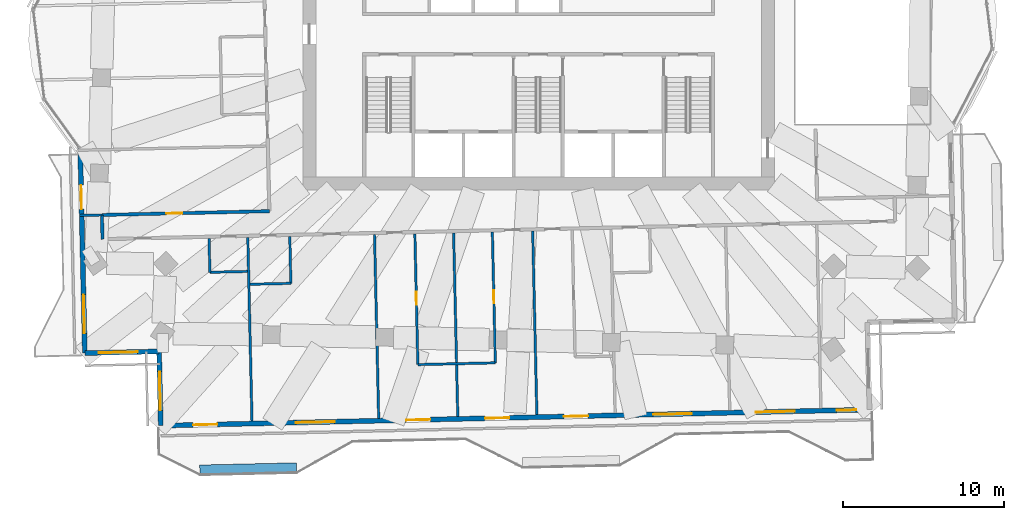
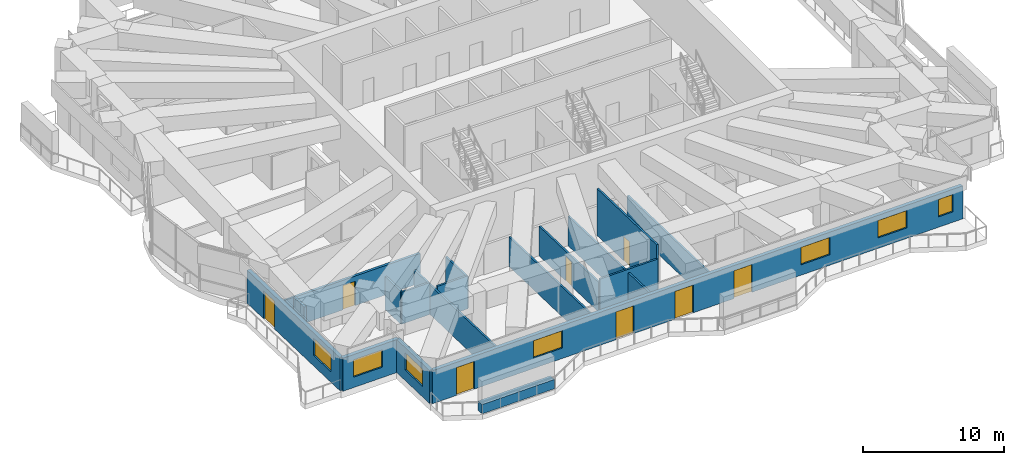
# One storey, part 9 of 19: 19 walls, 8 doors, 7 windows, 15 openings.
"""IFC4 building model written with IfcOpenShell, lengths in metres."""

from ifc_helpers import new_model, si_unit, direction, frame, frame_2d, origin, place, context, subcontext, project, spatial, rectangle, extrude, material, layer, layer_set, type_object, element, fill, save


model = new_model("IFC4")

# Units and contexts
model_context = context("Model", 3, precision=1e-05, world=origin(), true_north=direction((0.0, 1.0)))
body_context = subcontext(model_context, "Body", "Model", "MODEL_VIEW")
ifc_project = project(units=[si_unit("LENGTHUNIT", "METRE"), si_unit("AREAUNIT", "SQUARE_METRE"), si_unit("VOLUMEUNIT", "CUBIC_METRE"), si_unit("PLANEANGLEUNIT", "RADIAN"), si_unit("MASSUNIT", "GRAM", prefix="KILO")], contexts=[model_context])

# Site, building, storey
site_placement = place(None, origin())
site = spatial("IfcSite", under=ifc_project, at=site_placement, CompositionType="ELEMENT")
building_placement = place(site_placement, origin())
building = spatial("IfcBuilding", under=site, at=building_placement, Name="Mangrove Gate Tower", CompositionType="ELEMENT")
storey_placement = place(building_placement, frame((0.0, 0.0, 226.5)))
storey = spatial("IfcBuildingStorey", under=building, at=storey_placement, Name="L57", CompositionType="ELEMENT", Elevation=226.5)

# Wall
ifc_material_1 = material(Name="Gypsum board on steel stud, EI 60", Category="steel")
ifc_layer_1 = layer(ifc_material_1, 0.199951171875)
ifc_layer_set_1 = layer_set([ifc_layer_1], Name="Corridor wall EI 60")
wall_type_1 = type_object("IfcWallType", Name="Corridor wall EI 60", PredefinedType="PARTITIONING", material=ifc_layer_set_1)
wall_1_placement = place(storey_placement, frame((-27.011962890625, -14.654052734375, 0.0), z_axis=(0.0, 0.0, 1.0), x_axis=(-0.022617910375, 0.999744182344, 0.0)))
element("IfcWall", 1, at=wall_1_placement, inside=storey, type_object=wall_type_1, Name="WALL-L57-019", PredefinedType="PARTITIONING", context=body_context, shape_type="SweptSolid", body=[
    extrude(rectangle(XDim=1.50048828125, YDim=0.199951171875, at=frame_2d((0.750244140625, 0.0))), origin(), (0.0, 0.0, 1.0), 2.550048828125),
])

# Wall, opening, door
wall_2_placement = place(storey_placement, frame((-27.050048828125, -13.14990234375, 0.0), z_axis=(0.0, 0.0, 1.0), x_axis=(0.999743679035, 0.022640146404, 0.0)))
wall_2 = element("IfcWall", 2, at=wall_2_placement, inside=storey, type_object=wall_type_1, Name="WALL-L57-025", PredefinedType="PARTITIONING", context=body_context, shape_type="SweptSolid", body=[
    extrude(rectangle(XDim=10.373779296875, YDim=0.199951171875, at=frame_2d((5.18701171875, 0.0))), origin(), (0.0, 0.0, 1.0), 2.550048828125),
])
opening_1_placement = place(wall_2_placement, frame((3.987060546875, 0.0, 0.0)))
opening_1 = element("IfcOpeningElement", 3, at=opening_1_placement, cuts=wall_2, Name="Opening AD", PredefinedType="OPENING", context=body_context, shape_type="SweptSolid", body=[
    extrude(rectangle(XDim=1.0, YDim=2.10009765625, at=frame_2d((0.5, 1.050048828125))), frame((0.0, 0.10986328125, 0.0), z_axis=(0.0, -1.0, 0.0), x_axis=(1.0, 0.0, 0.0)), (0.0, 0.0, 1.0), 0.219970703125),
])
ifc_material_2 = material(Name="Timber door leaf", Category="wood")
door_type_1 = type_object("IfcDoorType", Name="Amenity door 1000", OperationType="SINGLE_SWING_LEFT", PredefinedType="DOOR", material=ifc_material_2)
door_1_placement = place(opening_1_placement, origin())
door_1 = element("IfcDoor", 4, at=door_1_placement, inside=storey, type_object=door_type_1, Name="DOOR-L57-KIT-c5b", OperationType="SINGLE_SWING_RIGHT", OverallHeight=2.10009765625, OverallWidth=1.0, PredefinedType="DOOR", context=body_context, shape_type="SweptSolid", body=[
    extrude(rectangle(XDim=1.0, YDim=2.10009765625, at=frame_2d((0.5, 1.050048828125))), frame((0.0, 0.02490234375, 0.0), z_axis=(0.0, -1.0, 0.0), x_axis=(1.0, 0.0, 0.0)), (0.0, 0.0, 1.0), 0.050048828125),
])
fill(opening_1, door_1)

# Wall, openings, door, window
ifc_material_3 = material(Name="Limestone", Category="masonry")
ifc_layer_2 = layer(ifc_material_3, 0.0400390625, Name="Limestone cladding")
ifc_material_4 = material(Name="Ventilated air gap")
ifc_layer_3 = layer(ifc_material_4, 0.0400390625, Name="Ventilated cavity")
ifc_material_5 = material(Name="Mineral wool insulation")
ifc_layer_4 = layer(ifc_material_5, 0.06005859375, Name="Insulation")
ifc_material_6 = material(Name="Breather membrane")
ifc_layer_5 = layer(ifc_material_6, 0.001953125, Name="Breather membrane")
ifc_material_7 = material(Name="Concrete C20/25 blockwork", Category="masonry")
ifc_layer_6 = layer(ifc_material_7, 0.14990234375, Name="Blockwork backing wall")
ifc_material_8 = material(Name="Gypsum plaster")
ifc_layer_7 = layer(ifc_material_8, 0.008056640625, Name="Internal plaster")
ifc_layer_set_2 = layer_set([ifc_layer_2, ifc_layer_3, ifc_layer_4, ifc_layer_5, ifc_layer_6, ifc_layer_7], Name="External wall 300 limestone cladding")
wall_type_2 = type_object("IfcWallType", Name="External wall 300 limestone cladding", PredefinedType="SOLIDWALL", material=ifc_layer_set_2)
wall_3_placement = place(storey_placement, frame((-28.39306640625, -9.0380859375, 0.0), z_axis=(0.0, 0.0, 1.0), x_axis=(0.022656635459, -0.999743305489, 0.0)))
wall_3 = element("IfcWall", 5, at=wall_3_placement, inside=storey, type_object=wall_type_2, Name="WALL-L57-W10", PredefinedType="SOLIDWALL", context=body_context, shape_type="SweptSolid", body=[
    extrude(rectangle(XDim=12.672119140625, YDim=0.300048828125, at=frame_2d((6.3359375, 0.0))), origin(), (0.0, 0.0, 1.0), 2.85009765625),
])
opening_2_placement = place(wall_3_placement, frame((2.259033203125, 0.0, 0.0)))
opening_2 = element("IfcOpeningElement", 6, at=opening_2_placement, cuts=wall_3, Name="Opening BD1", PredefinedType="OPENING", context=body_context, shape_type="SweptSolid", body=[
    extrude(rectangle(XDim=1.5, YDim=2.39990234375, at=frame_2d((0.75, 1.199951171875))), frame((0.0, 0.159912109375, 0.0), z_axis=(0.0, -1.0, 0.0), x_axis=(1.0, 0.0, 0.0)), (0.0, 0.0, 1.0), 0.320068359375),
])
opening_3_placement = place(wall_3_placement, frame((9.052978515625, 0.0, 0.89990234375)))
opening_3 = element("IfcOpeningElement", 7, at=opening_3_placement, cuts=wall_3, Name="Opening W2", PredefinedType="OPENING", context=body_context, shape_type="SweptSolid", body=[
    extrude(rectangle(XDim=2.39990234375, YDim=1.5, at=frame_2d((1.199951171875, 0.75))), frame((0.0, 0.159912109375, 0.0), z_axis=(0.0, -1.0, 0.0), x_axis=(1.0, 0.0, 0.0)), (0.0, 0.0, 1.0), 0.320068359375),
])
ifc_material_9 = material(Name="Aluminium frame with laminated clear glass", Category="aluminium")
door_type_2 = type_object("IfcDoorType", Name="Balcony sliding door 1500x2400", OperationType="SLIDING_TO_LEFT", PredefinedType="DOOR", material=ifc_material_9)
door_2_placement = place(opening_2_placement, origin())
door_2 = element("IfcDoor", 8, at=door_2_placement, inside=storey, type_object=door_type_2, Name="DOOR-L57-W10-1", OperationType="SLIDING_TO_LEFT", OverallHeight=2.39990234375, OverallWidth=1.5, PredefinedType="DOOR", context=body_context, shape_type="SweptSolid", body=[
    extrude(rectangle(XDim=1.5, YDim=2.39990234375, at=frame_2d((0.75, 1.199951171875))), frame((0.0, 0.02490234375, 0.0), z_axis=(0.0, -1.0, 0.0), x_axis=(1.0, 0.0, 0.0)), (0.0, 0.0, 1.0), 0.050048828125),
])
fill(opening_2, door_2)
ifc_material_10 = material(Name="Aluminium frame with double-glazed low-e glass", Category="aluminium")
window_type_1 = type_object("IfcWindowType", Name="Corner room window 2400x1500", PartitioningType="DOUBLE_PANEL_VERTICAL", PredefinedType="WINDOW", material=ifc_material_10)
window_1_placement = place(opening_3_placement, origin())
window_1 = element("IfcWindow", 9, at=window_1_placement, inside=storey, type_object=window_type_1, Name="WIN-L57-W10-2", OverallHeight=1.5, OverallWidth=2.39990234375, PartitioningType="DOUBLE_PANEL_VERTICAL", PredefinedType="WINDOW", context=body_context, shape_type="SweptSolid", body=[
    extrude(rectangle(XDim=2.39990234375, YDim=1.5, at=frame_2d((1.199951171875, 0.75))), frame((0.0, 0.030029296875, 0.0), z_axis=(0.0, -1.0, 0.0), x_axis=(1.0, 0.0, 0.0)), (0.0, 0.0, 1.0), 0.06005859375),
])
fill(opening_3, window_1)

# Wall, opening, window
wall_4_placement = place(storey_placement, frame((-28.10595703125, -21.70703125, 0.0), z_axis=(0.0, 0.0, 1.0), x_axis=(0.999739556364, 0.022821468877, 0.0)))
wall_4 = element("IfcWall", 10, at=wall_4_placement, inside=storey, type_object=wall_type_2, Name="WALL-L57-S11", PredefinedType="SOLIDWALL", context=body_context, shape_type="SweptSolid", body=[
    extrude(rectangle(XDim=4.60009765625, YDim=0.300048828125, at=frame_2d((2.300048828125, 0.0))), origin(), (0.0, 0.0, 1.0), 2.85009765625),
])
opening_4_placement = place(wall_4_placement, frame((0.864013671875, 0.0, 0.89990234375)))
opening_4 = element("IfcOpeningElement", 11, at=opening_4_placement, cuts=wall_4, Name="Opening W2", PredefinedType="OPENING", context=body_context, shape_type="SweptSolid", body=[
    extrude(rectangle(XDim=2.39990234375, YDim=1.5, at=frame_2d((1.199951171875, 0.75))), frame((0.0, 0.159912109375, 0.0), z_axis=(0.0, -1.0, 0.0), x_axis=(1.0, 0.0, 0.0)), (0.0, 0.0, 1.0), 0.320068359375),
])
window_2_placement = place(opening_4_placement, origin())
window_2 = element("IfcWindow", 12, at=window_2_placement, inside=storey, type_object=window_type_1, Name="WIN-L57-S11-1", OverallHeight=1.5, OverallWidth=2.39990234375, PartitioningType="DOUBLE_PANEL_VERTICAL", PredefinedType="WINDOW", context=body_context, shape_type="SweptSolid", body=[
    extrude(rectangle(XDim=2.39990234375, YDim=1.5, at=frame_2d((1.199951171875, 0.75))), frame((0.0, 0.030029296875, 0.0), z_axis=(0.0, -1.0, 0.0), x_axis=(1.0, 0.0, 0.0)), (0.0, 0.0, 1.0), 0.06005859375),
])
fill(opening_4, window_2)

wall_5_placement = place(storey_placement, frame((-23.507080078125, -21.60205078125, 0.0), z_axis=(0.0, 0.0, 1.0), x_axis=(0.022609285172, -0.999744377441, 0.0)))
wall_5 = element("IfcWall", 13, at=wall_5_placement, inside=storey, type_object=wall_type_2, Name="WALL-L57-W12", PredefinedType="SOLIDWALL", context=body_context, shape_type="SweptSolid", body=[
    extrude(rectangle(XDim=4.60009765625, YDim=0.300048828125, at=frame_2d((2.300048828125, 0.0))), origin(), (0.0, 0.0, 1.0), 2.85009765625),
])
opening_5_placement = place(wall_5_placement, frame((1.25, 0.0, 0.89990234375)))
opening_5 = element("IfcOpeningElement", 14, at=opening_5_placement, cuts=wall_5, Name="Opening W2", PredefinedType="OPENING", context=body_context, shape_type="SweptSolid", body=[
    extrude(rectangle(XDim=2.39990234375, YDim=1.5, at=frame_2d((1.199951171875, 0.75))), frame((0.0, 0.159912109375, 0.0), z_axis=(0.0, -1.0, 0.0), x_axis=(1.0, 0.0, 0.0)), (0.0, 0.0, 1.0), 0.320068359375),
])
window_3_placement = place(opening_5_placement, origin())
window_3 = element("IfcWindow", 15, at=window_3_placement, inside=storey, type_object=window_type_1, Name="WIN-L57-W12-1", OverallHeight=1.5, OverallWidth=2.39990234375, PartitioningType="DOUBLE_PANEL_VERTICAL", PredefinedType="WINDOW", context=body_context, shape_type="SweptSolid", body=[
    extrude(rectangle(XDim=2.39990234375, YDim=1.5, at=frame_2d((1.199951171875, 0.75))), frame((0.0, 0.030029296875, 0.0), z_axis=(0.0, -1.0, 0.0), x_axis=(1.0, 0.0, 0.0)), (0.0, 0.0, 1.0), 0.06005859375),
])
fill(opening_5, window_3)

# Wall, openings, doors, windows
wall_6_placement = place(storey_placement, frame((-23.403076171875, -26.200927734375, 0.0), z_axis=(0.0, 0.0, 1.0), x_axis=(0.999742770494, 0.022680230258, 0.0)))
wall_6 = element("IfcWall", 16, at=wall_6_placement, inside=storey, type_object=wall_type_2, Name="WALL-L57-S13", PredefinedType="SOLIDWALL", context=body_context, shape_type="SweptSolid", body=[
    extrude(rectangle(XDim=43.908203125, YDim=0.300048828125, at=frame_2d((21.9541015625, 0.0))), origin(), (0.0, 0.0, 1.0), 2.85009765625),
])
opening_6_placement = place(wall_6_placement, frame((2.0, 0.0, 0.0)))
opening_6 = element("IfcOpeningElement", 17, at=opening_6_placement, cuts=wall_6, Name="Opening BD1", PredefinedType="OPENING", context=body_context, shape_type="SweptSolid", body=[
    extrude(rectangle(XDim=1.5, YDim=2.39990234375, at=frame_2d((0.75, 1.199951171875))), frame((0.0, 0.159912109375, 0.0), z_axis=(0.0, -1.0, 0.0), x_axis=(1.0, 0.0, 0.0)), (0.0, 0.0, 1.0), 0.320068359375),
])
opening_7_placement = place(wall_6_placement, frame((8.375, 0.0, 0.89990234375)))
opening_7 = element("IfcOpeningElement", 18, at=opening_7_placement, cuts=wall_6, Name="Opening W2", PredefinedType="OPENING", context=body_context, shape_type="SweptSolid", body=[
    extrude(rectangle(XDim=2.39990234375, YDim=1.5, at=frame_2d((1.199951171875, 0.75))), frame((0.0, 0.159912109375, 0.0), z_axis=(0.0, -1.0, 0.0), x_axis=(1.0, 0.0, 0.0)), (0.0, 0.0, 1.0), 0.320068359375),
])
opening_8_placement = place(wall_6_placement, frame((15.199951171875, 0.0, 0.0)))
opening_8 = element("IfcOpeningElement", 19, at=opening_8_placement, cuts=wall_6, Name="Opening BD1", PredefinedType="OPENING", context=body_context, shape_type="SweptSolid", body=[
    extrude(rectangle(XDim=1.5, YDim=2.39990234375, at=frame_2d((0.75, 1.199951171875))), frame((0.0, 0.159912109375, 0.0), z_axis=(0.0, -1.0, 0.0), x_axis=(1.0, 0.0, 0.0)), (0.0, 0.0, 1.0), 0.320068359375),
])
opening_9_placement = place(wall_6_placement, frame((20.10009765625, 0.0, 0.0)))
opening_9 = element("IfcOpeningElement", 20, at=opening_9_placement, cuts=wall_6, Name="Opening BD1", PredefinedType="OPENING", context=body_context, shape_type="SweptSolid", body=[
    extrude(rectangle(XDim=1.5, YDim=2.39990234375, at=frame_2d((0.75, 1.199951171875))), frame((0.0, 0.159912109375, 0.0), z_axis=(0.0, -1.0, 0.0), x_axis=(1.0, 0.0, 0.0)), (0.0, 0.0, 1.0), 0.320068359375),
])
opening_10_placement = place(wall_6_placement, frame((24.97509765625, 0.0, 0.0)))
opening_10 = element("IfcOpeningElement", 21, at=opening_10_placement, cuts=wall_6, Name="Opening BD1", PredefinedType="OPENING", context=body_context, shape_type="SweptSolid", body=[
    extrude(rectangle(XDim=1.5, YDim=2.39990234375, at=frame_2d((0.75, 1.199951171875))), frame((0.0, 0.159912109375, 0.0), z_axis=(0.0, -1.0, 0.0), x_axis=(1.0, 0.0, 0.0)), (0.0, 0.0, 1.0), 0.320068359375),
])
opening_11_placement = place(wall_6_placement, frame((30.5, 0.0, 0.89990234375)))
opening_11 = element("IfcOpeningElement", 22, at=opening_11_placement, cuts=wall_6, Name="Opening W2", PredefinedType="OPENING", context=body_context, shape_type="SweptSolid", body=[
    extrude(rectangle(XDim=2.39990234375, YDim=1.5, at=frame_2d((1.199951171875, 0.75))), frame((0.0, 0.159912109375, 0.0), z_axis=(0.0, -1.0, 0.0), x_axis=(1.0, 0.0, 0.0)), (0.0, 0.0, 1.0), 0.320068359375),
])
opening_12_placement = place(wall_6_placement, frame((36.875, 0.0, 0.89990234375)))
opening_12 = element("IfcOpeningElement", 23, at=opening_12_placement, cuts=wall_6, Name="Opening W2", PredefinedType="OPENING", context=body_context, shape_type="SweptSolid", body=[
    extrude(rectangle(XDim=2.39990234375, YDim=1.5, at=frame_2d((1.199951171875, 0.75))), frame((0.0, 0.159912109375, 0.0), z_axis=(0.0, -1.0, 0.0), x_axis=(1.0, 0.0, 0.0)), (0.0, 0.0, 1.0), 0.320068359375),
])
opening_13_placement = place(wall_6_placement, frame((41.87890625, 0.0, 0.89990234375)))
opening_13 = element("IfcOpeningElement", 24, at=opening_13_placement, cuts=wall_6, Name="Opening W1", PredefinedType="OPENING", context=body_context, shape_type="SweptSolid", body=[
    extrude(rectangle(XDim=1.199951171875, YDim=1.5, at=frame_2d((0.60009765625, 0.75))), frame((0.0, 0.159912109375, 0.0), z_axis=(0.0, -1.0, 0.0), x_axis=(1.0, 0.0, 0.0)), (0.0, 0.0, 1.0), 0.320068359375),
])
door_3_placement = place(opening_6_placement, origin())
door_3 = element("IfcDoor", 25, at=door_3_placement, inside=storey, type_object=door_type_2, Name="DOOR-L57-S13-1", OperationType="SLIDING_TO_LEFT", OverallHeight=2.39990234375, OverallWidth=1.5, PredefinedType="DOOR", context=body_context, shape_type="SweptSolid", body=[
    extrude(rectangle(XDim=1.5, YDim=2.39990234375, at=frame_2d((0.75, 1.199951171875))), frame((0.0, 0.02490234375, 0.0), z_axis=(0.0, -1.0, 0.0), x_axis=(1.0, 0.0, 0.0)), (0.0, 0.0, 1.0), 0.050048828125),
])
fill(opening_6, door_3)
door_4_placement = place(opening_8_placement, origin())
door_4 = element("IfcDoor", 26, at=door_4_placement, inside=storey, type_object=door_type_2, Name="DOOR-L57-S13-3", OperationType="SLIDING_TO_LEFT", OverallHeight=2.39990234375, OverallWidth=1.5, PredefinedType="DOOR", context=body_context, shape_type="SweptSolid", body=[
    extrude(rectangle(XDim=1.5, YDim=2.39990234375, at=frame_2d((0.75, 1.199951171875))), frame((0.0, 0.02490234375, 0.0), z_axis=(0.0, -1.0, 0.0), x_axis=(1.0, 0.0, 0.0)), (0.0, 0.0, 1.0), 0.050048828125),
])
fill(opening_8, door_4)
door_5_placement = place(opening_9_placement, origin())
door_5 = element("IfcDoor", 27, at=door_5_placement, inside=storey, type_object=door_type_2, Name="DOOR-L57-S13-4", OperationType="SLIDING_TO_LEFT", OverallHeight=2.39990234375, OverallWidth=1.5, PredefinedType="DOOR", context=body_context, shape_type="SweptSolid", body=[
    extrude(rectangle(XDim=1.5, YDim=2.39990234375, at=frame_2d((0.75, 1.199951171875))), frame((0.0, 0.02490234375, 0.0), z_axis=(0.0, -1.0, 0.0), x_axis=(1.0, 0.0, 0.0)), (0.0, 0.0, 1.0), 0.050048828125),
])
fill(opening_9, door_5)
door_6_placement = place(opening_10_placement, origin())
door_6 = element("IfcDoor", 28, at=door_6_placement, inside=storey, type_object=door_type_2, Name="DOOR-L57-S13-5", OperationType="SLIDING_TO_LEFT", OverallHeight=2.39990234375, OverallWidth=1.5, PredefinedType="DOOR", context=body_context, shape_type="SweptSolid", body=[
    extrude(rectangle(XDim=1.5, YDim=2.39990234375, at=frame_2d((0.75, 1.199951171875))), frame((0.0, 0.02490234375, 0.0), z_axis=(0.0, -1.0, 0.0), x_axis=(1.0, 0.0, 0.0)), (0.0, 0.0, 1.0), 0.050048828125),
])
fill(opening_10, door_6)
window_4_placement = place(opening_7_placement, origin())
window_4 = element("IfcWindow", 29, at=window_4_placement, inside=storey, type_object=window_type_1, Name="WIN-L57-S13-2", OverallHeight=1.5, OverallWidth=2.39990234375, PartitioningType="DOUBLE_PANEL_VERTICAL", PredefinedType="WINDOW", context=body_context, shape_type="SweptSolid", body=[
    extrude(rectangle(XDim=2.39990234375, YDim=1.5, at=frame_2d((1.199951171875, 0.75))), frame((0.0, 0.030029296875, 0.0), z_axis=(0.0, -1.0, 0.0), x_axis=(1.0, 0.0, 0.0)), (0.0, 0.0, 1.0), 0.06005859375),
])
fill(opening_7, window_4)
window_5_placement = place(opening_11_placement, origin())
window_5 = element("IfcWindow", 30, at=window_5_placement, inside=storey, type_object=window_type_1, Name="WIN-L57-S13-6", OverallHeight=1.5, OverallWidth=2.39990234375, PartitioningType="DOUBLE_PANEL_VERTICAL", PredefinedType="WINDOW", context=body_context, shape_type="SweptSolid", body=[
    extrude(rectangle(XDim=2.39990234375, YDim=1.5, at=frame_2d((1.199951171875, 0.75))), frame((0.0, 0.030029296875, 0.0), z_axis=(0.0, -1.0, 0.0), x_axis=(1.0, 0.0, 0.0)), (0.0, 0.0, 1.0), 0.06005859375),
])
fill(opening_11, window_5)
window_6_placement = place(opening_12_placement, origin())
window_6 = element("IfcWindow", 31, at=window_6_placement, inside=storey, type_object=window_type_1, Name="WIN-L57-S13-7", OverallHeight=1.5, OverallWidth=2.39990234375, PartitioningType="DOUBLE_PANEL_VERTICAL", PredefinedType="WINDOW", context=body_context, shape_type="SweptSolid", body=[
    extrude(rectangle(XDim=2.39990234375, YDim=1.5, at=frame_2d((1.199951171875, 0.75))), frame((0.0, 0.030029296875, 0.0), z_axis=(0.0, -1.0, 0.0), x_axis=(1.0, 0.0, 0.0)), (0.0, 0.0, 1.0), 0.06005859375),
])
fill(opening_12, window_6)
ifc_material_11 = material(Name="Aluminium frame with double-glazed low-e glass", Category="aluminium")
window_type_2 = type_object("IfcWindowType", Name="Side lite 1200x1500", PartitioningType="SINGLE_PANEL", PredefinedType="WINDOW", material=ifc_material_11)
window_7_placement = place(opening_13_placement, origin())
window_7 = element("IfcWindow", 32, at=window_7_placement, inside=storey, type_object=window_type_2, Name="WIN-L57-S13-8", OverallHeight=1.5, OverallWidth=1.199951171875, PartitioningType="SINGLE_PANEL", PredefinedType="WINDOW", context=body_context, shape_type="SweptSolid", body=[
    extrude(rectangle(XDim=1.199951171875, YDim=1.5, at=frame_2d((0.60009765625, 0.75))), frame((0.0, 0.030029296875, 0.0), z_axis=(0.0, -1.0, 0.0), x_axis=(1.0, 0.0, 0.0)), (0.0, 0.0, 1.0), 0.06005859375),
])
fill(opening_13, window_7)

# Walls
ifc_material_12 = material(Name="Gypsum board on steel stud, EI 60", Category="steel")
ifc_layer_8 = layer(ifc_material_12, 0.14990234375)
ifc_layer_set_3 = layer_set([ifc_layer_8], Name="Party wall 150 EI 60")
wall_type_3 = type_object("IfcWallType", Name="Party wall 150 EI 60", PredefinedType="PARTITIONING", material=ifc_layer_set_3)
for number, where, z_axis, x_axis, name in (
    (33, (-17.7529296875, -25.923095703125, 0.0), (0.0, 0.0, 1.0), (-0.022770155219, 0.999740726404, 0.0), "WALL-L57-001"),
    (34, (-9.905029296875, -25.7451171875, 0.0), (0.0, 0.0, 1.0), (-0.022770155219, 0.999740726404, 0.0), "WALL-L57-002"),
):
    element("IfcWall", number, at=place(storey_placement, frame(where, z_axis=z_axis, x_axis=x_axis)), inside=storey, type_object=wall_type_3, Name=name, PredefinedType="PARTITIONING", context=body_context, shape_type="SweptSolid", body=[
        extrude(rectangle(XDim=11.3759765625, YDim=0.14990234375, at=frame_2d((5.68798828125, 0.0))), origin(), (0.0, 0.0, 1.0), 2.550048828125),
    ])
wall_7_placement = place(storey_placement, frame((-5.007080078125, -25.634033203125, 0.0), z_axis=(0.0, 0.0, 1.0), x_axis=(-0.022660960485, 0.999743207464, 0.0)))
element("IfcWall", 35, at=wall_7_placement, inside=storey, type_object=wall_type_3, Name="WALL-L57-003", PredefinedType="PARTITIONING", context=body_context, shape_type="SweptSolid", body=[
    extrude(rectangle(XDim=11.376953125, YDim=0.14990234375, at=frame_2d((5.6884765625, 0.0))), origin(), (0.0, 0.0, 1.0), 2.550048828125),
])
wall_8_placement = place(storey_placement, frame((-0.10791015625, -25.52197265625, 0.0), z_axis=(0.0, 0.0, 1.0), x_axis=(-0.022684355347, 0.999742676904, 0.0)))
element("IfcWall", 36, at=wall_8_placement, inside=storey, type_object=wall_type_3, Name="WALL-L57-004", PredefinedType="PARTITIONING", context=body_context, shape_type="SweptSolid", body=[
    extrude(rectangle(XDim=11.3759765625, YDim=0.14990234375, at=frame_2d((5.68798828125, 0.0))), origin(), (0.0, 0.0, 1.0), 2.550048828125),
])

# Wall, opening, door
wall_9_placement = place(storey_placement, frame((-7.47998046875, -22.423095703125, 0.0), z_axis=(0.0, 0.0, 1.0), x_axis=(-0.022697472341, 0.99974237919, 0.0)))
wall_9 = element("IfcWall", 37, at=wall_9_placement, inside=storey, type_object=wall_type_3, Name="WALL-L57-008", PredefinedType="PARTITIONING", context=body_context, shape_type="SweptSolid", body=[
    extrude(rectangle(XDim=8.1103515625, YDim=0.14990234375, at=frame_2d((4.05517578125, 0.0))), origin(), (0.0, 0.0, 1.0), 2.550048828125),
])
opening_14_placement = place(wall_9_placement, frame((3.705078125, 0.0, 0.0)))
opening_14 = element("IfcOpeningElement", 38, at=opening_14_placement, cuts=wall_9, Name="Opening ED", PredefinedType="OPENING", context=body_context, shape_type="SweptSolid", body=[
    extrude(rectangle(XDim=0.800048828125, YDim=2.10009765625, at=frame_2d((0.39990234375, 1.050048828125))), frame((0.0, 0.0849609375, 0.0), z_axis=(0.0, -1.0, 0.0), x_axis=(1.0, 0.0, 0.0)), (0.0, 0.0, 1.0), 0.169921875),
])
ifc_material_13 = material(Name="Timber door leaf", Category="wood")
door_type_3 = type_object("IfcDoorType", Name="En-suite door 800", OperationType="SINGLE_SWING_LEFT", PredefinedType="DOOR", material=ifc_material_13)
door_7_placement = place(opening_14_placement, origin())
door_7 = element("IfcDoor", 39, at=door_7_placement, inside=storey, type_object=door_type_3, Name="DOOR-L57-ENS-c101", OperationType="SINGLE_SWING_LEFT", OverallHeight=2.10009765625, OverallWidth=0.800048828125, PredefinedType="DOOR", context=body_context, shape_type="SweptSolid", body=[
    extrude(rectangle(XDim=0.800048828125, YDim=2.10009765625, at=frame_2d((0.39990234375, 1.050048828125))), frame((0.0, 0.02490234375, 0.0), z_axis=(0.0, -1.0, 0.0), x_axis=(1.0, 0.0, 0.0)), (0.0, 0.0, 1.0), 0.050048828125),
])
fill(opening_14, door_7)

wall_10_placement = place(storey_placement, frame((-2.680908203125, -22.31396484375, 0.0), z_axis=(0.0, 0.0, 1.0), x_axis=(-0.022698155442, 0.999742363682, 0.0)))
wall_10 = element("IfcWall", 40, at=wall_10_placement, inside=storey, type_object=wall_type_3, Name="WALL-L57-009", PredefinedType="PARTITIONING", context=body_context, shape_type="SweptSolid", body=[
    extrude(rectangle(XDim=8.110107421875, YDim=0.14990234375, at=frame_2d((4.05517578125, 0.0))), origin(), (0.0, 0.0, 1.0), 4.050048828125),
])
opening_15_placement = place(wall_10_placement, frame((3.705078125, 0.0, 0.0)))
opening_15 = element("IfcOpeningElement", 41, at=opening_15_placement, cuts=wall_10, Name="Opening ED", PredefinedType="OPENING", context=body_context, shape_type="SweptSolid", body=[
    extrude(rectangle(XDim=0.800048828125, YDim=2.10009765625, at=frame_2d((0.39990234375, 1.050048828125))), frame((0.0, 0.0849609375, 0.0), z_axis=(0.0, -1.0, 0.0), x_axis=(1.0, 0.0, 0.0)), (0.0, 0.0, 1.0), 0.169921875),
])
door_8_placement = place(opening_15_placement, origin())
door_8 = element("IfcDoor", 42, at=door_8_placement, inside=storey, type_object=door_type_3, Name="DOOR-L57-ENS-c102", OperationType="SINGLE_SWING_RIGHT", OverallHeight=2.10009765625, OverallWidth=0.800048828125, PredefinedType="DOOR", context=body_context, shape_type="SweptSolid", body=[
    extrude(rectangle(XDim=0.800048828125, YDim=2.10009765625, at=frame_2d((0.39990234375, 1.050048828125))), frame((0.0, 0.02490234375, 0.0), z_axis=(0.0, -1.0, 0.0), x_axis=(1.0, 0.0, 0.0)), (0.0, 0.0, 1.0), 0.050048828125),
])
fill(opening_15, door_8)

# Walls
wall_11_placement = place(storey_placement, frame((-7.48388671875, -22.4189453125, 0.0), z_axis=(0.0, 0.0, 1.0), x_axis=(0.999742570398, 0.022689048768, 0.0)))
element("IfcWall", 43, at=wall_11_placement, inside=storey, type_object=wall_type_3, Name="WALL-L57-010", PredefinedType="PARTITIONING", context=body_context, shape_type="SweptSolid", body=[
    extrude(rectangle(XDim=4.799072265625, YDim=0.14990234375, at=frame_2d((2.3994140625, 0.0))), origin(), (0.0, 0.0, 1.0), 2.85009765625),
])
wall_12_placement = place(storey_placement, frame((-15.345947265625, -17.389892578125, 0.0), z_axis=(0.0, 0.0, 1.0), x_axis=(-0.022817032779, 0.999739657619, 0.0)))
element("IfcWall", 44, at=wall_12_placement, inside=storey, type_object=wall_type_3, Name="WALL-L57-013", PredefinedType="PARTITIONING", context=body_context, shape_type="SweptSolid", body=[
    extrude(rectangle(XDim=2.899658203125, YDim=0.14990234375, at=frame_2d((1.44970703125, 0.0))), origin(), (0.0, 0.0, 1.0), 2.75),
])
wall_13_placement = place(storey_placement, frame((-17.875, -17.443115234375, 0.0), z_axis=(0.0, 0.0, 1.0), x_axis=(0.99974392816, 0.022629142889, 0.0)))
element("IfcWall", 45, at=wall_13_placement, inside=storey, type_object=wall_type_3, Name="WALL-L57-014", PredefinedType="PARTITIONING", context=body_context, shape_type="SweptSolid", body=[
    extrude(rectangle(XDim=2.524658203125, YDim=0.14990234375, at=frame_2d((1.26220703125, 0.0))), origin(), (0.0, 0.0, 1.0), 2.85009765625),
])
wall_14_placement = place(storey_placement, frame((-20.363037109375, -16.7041015625, 0.0), z_axis=(0.0, 0.0, 1.0), x_axis=(-0.022779486249, 0.999740513837, 0.0)))
element("IfcWall", 46, at=wall_14_placement, inside=storey, type_object=wall_type_3, Name="WALL-L57-017", PredefinedType="PARTITIONING", context=body_context, shape_type="SweptSolid", body=[
    extrude(rectangle(XDim=2.1005859375, YDim=0.14990234375, at=frame_2d((1.05029296875, 0.0))), origin(), (0.0, 0.0, 1.0), 2.85009765625),
])
wall_15_placement = place(storey_placement, frame((-20.366943359375, -16.699951171875, 0.0), z_axis=(0.0, 0.0, 1.0), x_axis=(0.999740260747, 0.02279059109, 0.0)))
element("IfcWall", 47, at=wall_15_placement, inside=storey, type_object=wall_type_3, Name="WALL-L57-018", PredefinedType="PARTITIONING", context=body_context, shape_type="SweptSolid", body=[
    extrude(rectangle(XDim=2.324462890625, YDim=0.14990234375, at=frame_2d((1.162109375, 0.0))), origin(), (0.0, 0.0, 1.0), 2.75),
])
wall_16_placement = place(storey_placement, frame((-28.448974609375, -13.181884765625, 0.0), z_axis=(0.0, 0.0, 1.0), x_axis=(0.999740306547, 0.022788581896, 0.0)))
element("IfcWall", 48, at=wall_16_placement, inside=storey, type_object=wall_type_3, Name="WALL-L57-024", PredefinedType="PARTITIONING", context=body_context, shape_type="SweptSolid", body=[
    extrude(rectangle(XDim=1.4033203125, YDim=0.14990234375, at=frame_2d((0.70166015625, 0.0))), origin(), (0.0, 0.0, 1.0), 2.550048828125),
])
ifc_material_14 = material(Name="Concrete C32/40", Category="concrete")
ifc_layer_9 = layer(ifc_material_14, 0.199951171875, Name="Planter trough wall")
ifc_material_15 = material(Name="Bituminous waterproofing membrane")
ifc_layer_10 = layer(ifc_material_15, 0.0048828125, Name="Waterproofing")
ifc_material_16 = material(Name="Drainage board and gravel")
ifc_layer_11 = layer(ifc_material_16, 0.044921875, Name="Drainage layer")
ifc_material_17 = material(Name="Planting soil")
ifc_layer_12 = layer(ifc_material_17, 0.300048828125, Name="Growing medium")
ifc_layer_set_4 = layer_set([ifc_layer_9, ifc_layer_10, ifc_layer_11, ifc_layer_12], Name="Planter wall 550 C32/40")
wall_type_4 = type_object("IfcWallType", Name="Planter wall 550 C32/40", PredefinedType="USERDEFINED", material=ifc_layer_set_4)
wall_17_placement = place(storey_placement, frame((-20.986083984375, -28.912109375, 0.0), z_axis=(0.0, 0.0, 1.0), x_axis=(0.999742171567, 0.022706615587, 0.0)))
element("IfcWall", 49, at=wall_17_placement, inside=storey, type_object=wall_type_4, Name="PLANTER L57 S0.1", ObjectType="PLANTER", PredefinedType="USERDEFINED", context=body_context, shape_type="SweptSolid", body=[
    extrude(rectangle(XDim=5.99951171875, YDim=0.550048828125, at=frame_2d((2.999755859375, 0.0))), origin(), (0.0, 0.0, 1.0), 0.800048828125),
])

save(model, "model.ifc")
